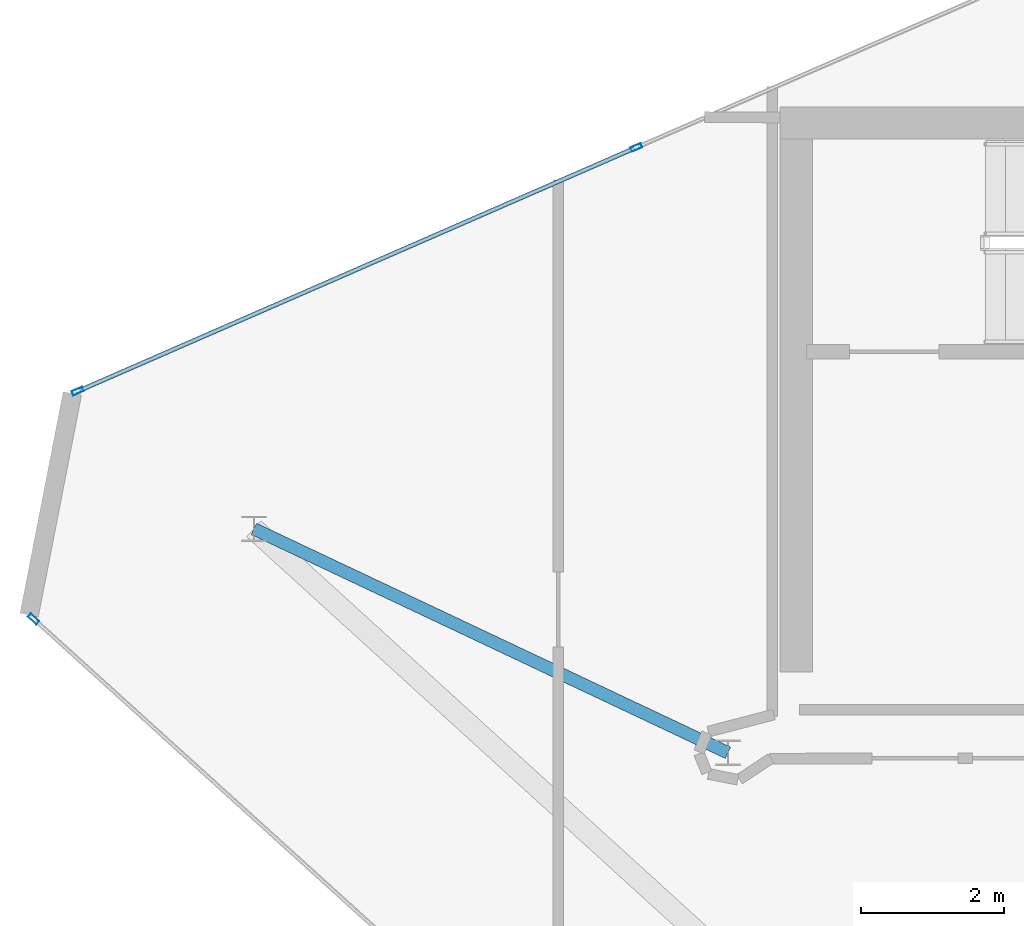
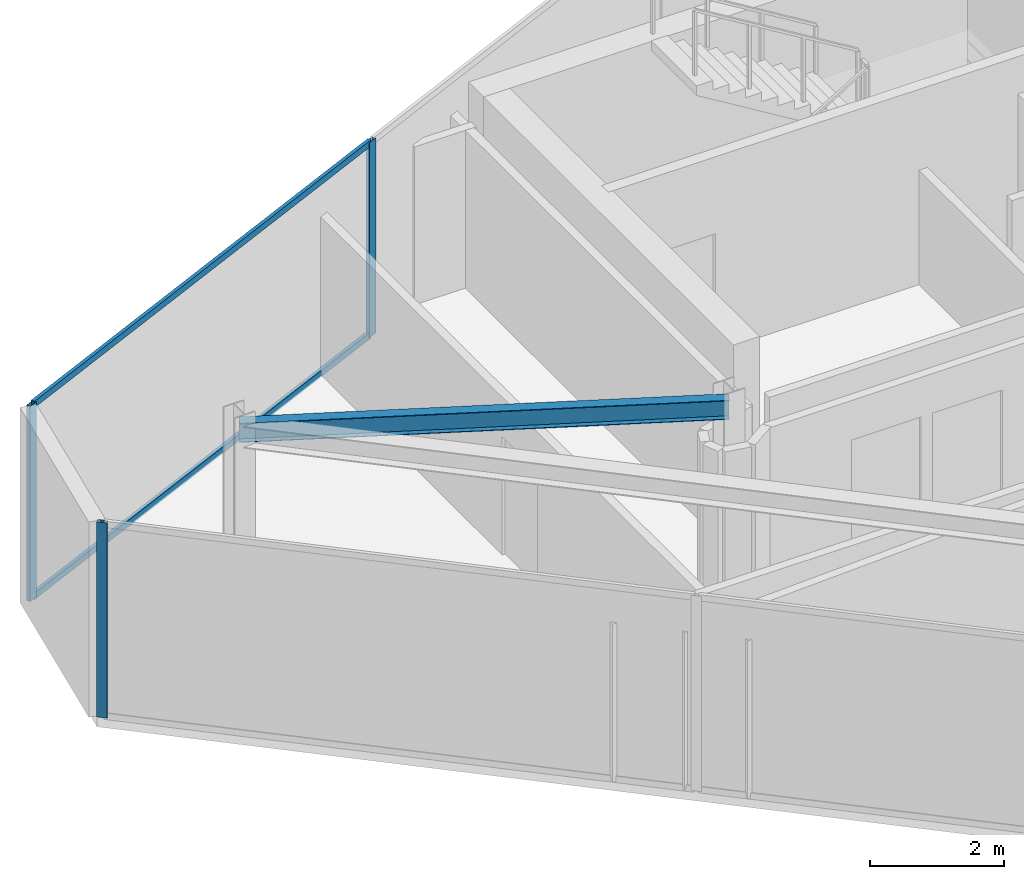
# One storey, part 7 of 15: 5 members, 1 beam, 2 elements without a shape of their own.
"""IFC4 building model written with IfcOpenShell, lengths in metres."""

from ifc_helpers import new_model, si_unit, direction, frame, origin, origin_2d, place, context, subcontext, project, spatial, hollow_rectangle, i_section, extrude, material, layer, layer_set, material_profile, profile_set, type_object, element, aggregate, save


model = new_model("IFC4")

# Units and contexts
model_context = context("Model", 3, precision=1e-05, world=origin(), true_north=direction((0.0, 1.0)))
body_context = subcontext(model_context, "Body", "Model", "MODEL_VIEW")
ifc_project = project(units=[si_unit("LENGTHUNIT", "METRE"), si_unit("AREAUNIT", "SQUARE_METRE"), si_unit("VOLUMEUNIT", "CUBIC_METRE"), si_unit("PLANEANGLEUNIT", "RADIAN"), si_unit("MASSUNIT", "GRAM", prefix="KILO")], contexts=[model_context])

# Site, building, storey
site_placement = place(None, origin())
site = spatial("IfcSite", under=ifc_project, at=site_placement, CompositionType="ELEMENT")
building_placement = place(site_placement, origin())
building = spatial("IfcBuilding", under=site, at=building_placement, Name="Qianvela Tower", CompositionType="ELEMENT")
storey_placement = place(building_placement, frame((0.0, 0.0, 360.050048828125)))
storey = spatial("IfcBuildingStorey", under=building, at=storey_placement, Name="L93", CompositionType="ELEMENT", Elevation=360.050048828125)

# Beam
ifc_material_1 = material(Name="Steel Q355B", Category="steel")
ifc_material_profile_1 = material_profile(ifc_material_1, i_section(OverallWidth=0.175048828125, OverallDepth=0.35009765625, WebThickness=0.007080078125, FlangeThickness=0.010986328125, at=origin_2d()), Name="HN350x175x7x11")
ifc_profile_set_1 = profile_set([ifc_material_profile_1], Name="Steel Q355B")
beam_type = type_object("IfcBeamType", Name="BM-HN350-JOIST", PredefinedType="JOIST", material=ifc_profile_set_1)
beam_placement = place(storey_placement, frame((28.60009765625, 23.85009765625, 3.373046875), z_axis=(-0.904234337574, 0.427036605868, 0.0), x_axis=(-0.427036605868, -0.904234337574, 0.0)))
element("IfcBeam", 1, at=beam_placement, inside=storey, type_object=beam_type, Name="L93 Crown Radial Floor Girder 3", PredefinedType="JOIST", context=body_context, shape_type="SweptSolid", body=[
    extrude(i_section(OverallWidth=0.175048828125, OverallDepth=0.35009765625, WebThickness=0.007080078125, FlangeThickness=0.010986328125, at=origin_2d()), origin(), (0.0, 0.0, 1.0), 7.320068359375),
])

# Curtain wall, members
ifc_material_2 = material(Name="Anodised Architectural Aluminium and Low-E Glass", Category="aluminium")
ifc_layer = layer(ifc_material_2, 0.159912109375)
ifc_layer_set = layer_set([ifc_layer], Name="Anodised Architectural Aluminium and Low-E Glass")
curtain_wall_type = type_object("IfcCurtainWallType", Name="CW-CROWN", PredefinedType="USERDEFINED", material=ifc_layer_set)
curtain_wall_1_placement = place(storey_placement, origin())
curtain_wall_1 = element("IfcCurtainWall", 2, at=curtain_wall_1_placement, inside=storey, type_object=curtain_wall_type, Name="L93 CW-CROWN Curtain Wall 02", ObjectType="CURTAIN_WALL_SYSTEM", PredefinedType="USERDEFINED")
ifc_material_3 = material(Name="Anodised Architectural Aluminium 6063-T6", Category="aluminium")
ifc_material_profile_2 = material_profile(ifc_material_3, hollow_rectangle(XDim=0.06494140625, YDim=0.159912109375, WallThickness=0.0048828125, at=origin_2d()), Name="ALU-MULL-65x160")
ifc_profile_set_2 = profile_set([ifc_material_profile_2], Name="Anodised Architectural Aluminium 6063-T6")
member_type_1 = type_object("IfcMemberType", Name="CW-CROWN-MULL", PredefinedType="MULLION", material=ifc_profile_set_2)
member_1_placement = place(storey_placement, frame((27.320068359375, 32.302734375, 0.0), z_axis=(0.0, 0.0, 1.0), x_axis=(0.399914599103, -0.916552406262, 0.0)))
member_1 = element("IfcMember", 3, at=member_1_placement, type_object=member_type_1, Name="CW-8 mullion 4", PredefinedType="MULLION", context=body_context, shape_type="SweptSolid", body=[
    extrude(hollow_rectangle(XDim=0.06494140625, YDim=0.159912109375, WallThickness=0.0048828125, at=origin_2d()), origin(), (0.0, 0.0, 1.0), 3.550048828125),
])
member_2_placement = place(storey_placement, frame((19.519775390625, 28.899169921875, 0.0), z_axis=(0.0, 0.0, 1.0), x_axis=(0.399914599103, -0.916552406262, 0.0)))
member_2 = element("IfcMember", 4, at=member_2_placement, type_object=member_type_1, Name="CW-8 mullion 5", PredefinedType="MULLION", context=body_context, shape_type="SweptSolid", body=[
    extrude(hollow_rectangle(XDim=0.06494140625, YDim=0.159912109375, WallThickness=0.0048828125, at=origin_2d()), origin(), (0.0, 0.0, 1.0), 3.550048828125),
])

# Curtain wall, member
curtain_wall_2_placement = place(storey_placement, origin())
curtain_wall_2 = element("IfcCurtainWall", 5, at=curtain_wall_2_placement, inside=storey, type_object=curtain_wall_type, Name="L93 CW-CROWN Curtain Wall 04", ObjectType="CURTAIN_WALL_SYSTEM", PredefinedType="USERDEFINED")
member_3_placement = place(storey_placement, frame((18.903076171875, 25.71875, 0.0), z_axis=(0.0, 0.0, 1.0), x_axis=(0.671200977074, 0.741275420053, 0.0)))
member_3 = element("IfcMember", 6, at=member_3_placement, type_object=member_type_1, Name="CW-8 mullion 1", PredefinedType="MULLION", context=body_context, shape_type="SweptSolid", body=[
    extrude(hollow_rectangle(XDim=0.06494140625, YDim=0.159912109375, WallThickness=0.0048828125, at=origin_2d()), origin(), (0.0, 0.0, 1.0), 3.550048828125),
])
aggregate(curtain_wall_2, [member_3])

# Member
ifc_material_4 = material(Name="Anodised Architectural Aluminium 6063-T6", Category="aluminium")
ifc_material_profile_3 = material_profile(ifc_material_4, hollow_rectangle(XDim=0.06005859375, YDim=0.114990234375, WallThickness=0.00390625, at=origin_2d()), Name="ALU-TRAN-60x115")
ifc_profile_set_3 = profile_set([ifc_material_profile_3], Name="Anodised Architectural Aluminium 6063-T6")
member_type_2 = type_object("IfcMemberType", Name="CW-CROWN-TRAN", PredefinedType="USERDEFINED", material=ifc_profile_set_3)
member_4_placement = place(storey_placement, frame((27.290283203125, 32.289794921875, 0.030029296875), z_axis=(-0.916543038938, -0.399936067108, 0.0), x_axis=(0.399936067108, -0.916543038938, 0.0)))
member_4 = element("IfcMember", 7, at=member_4_placement, type_object=member_type_2, Name="CW-8 transom 4.1", ObjectType="TRANSOM", PredefinedType="USERDEFINED", context=body_context, shape_type="SweptSolid", body=[
    extrude(hollow_rectangle(XDim=0.06005859375, YDim=0.114990234375, WallThickness=0.00390625, at=origin_2d()), origin(), (0.0, 0.0, 1.0), 8.445556640625),
])

member_5_placement = place(storey_placement, frame((27.290283203125, 32.289794921875, 3.52001953125), z_axis=(-0.916543038938, -0.399936067108, 0.0), x_axis=(0.399936067108, -0.916543038938, 0.0)))
member_5 = element("IfcMember", 8, at=member_5_placement, type_object=member_type_2, Name="CW-8 transom 4.2", ObjectType="TRANSOM", PredefinedType="USERDEFINED", context=body_context, shape_type="SweptSolid", body=[
    extrude(hollow_rectangle(XDim=0.06005859375, YDim=0.114990234375, WallThickness=0.00390625, at=origin_2d()), origin(), (0.0, 0.0, 1.0), 8.445556640625),
])

aggregate(curtain_wall_1, [member_1, member_2, member_4, member_5])

save(model, "model.ifc")
